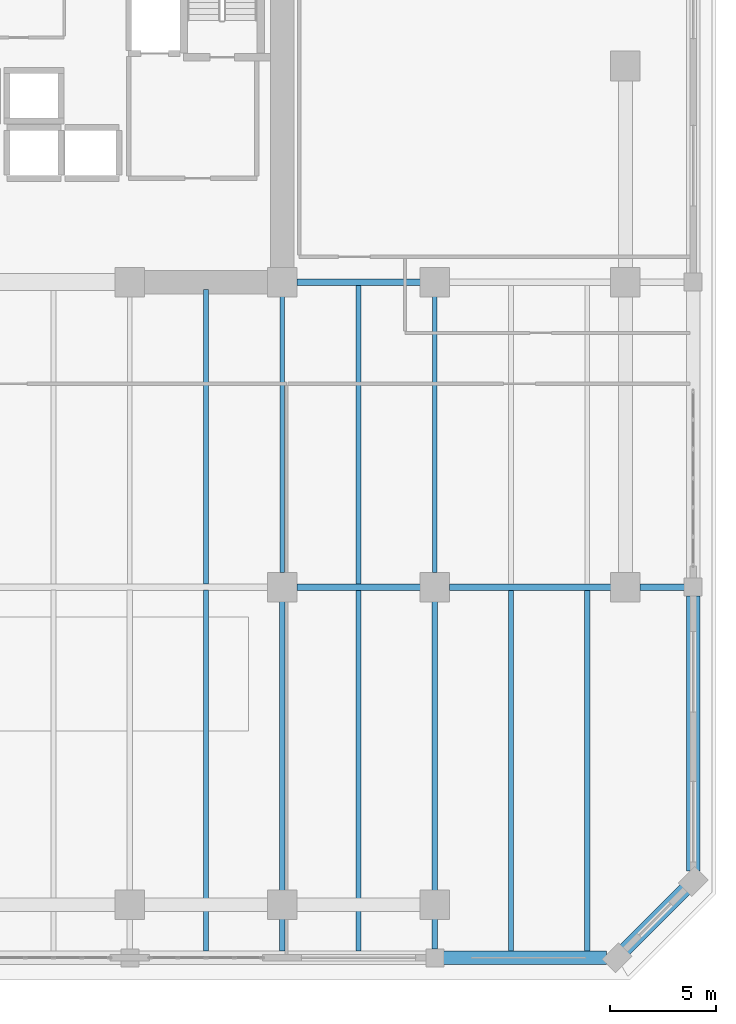
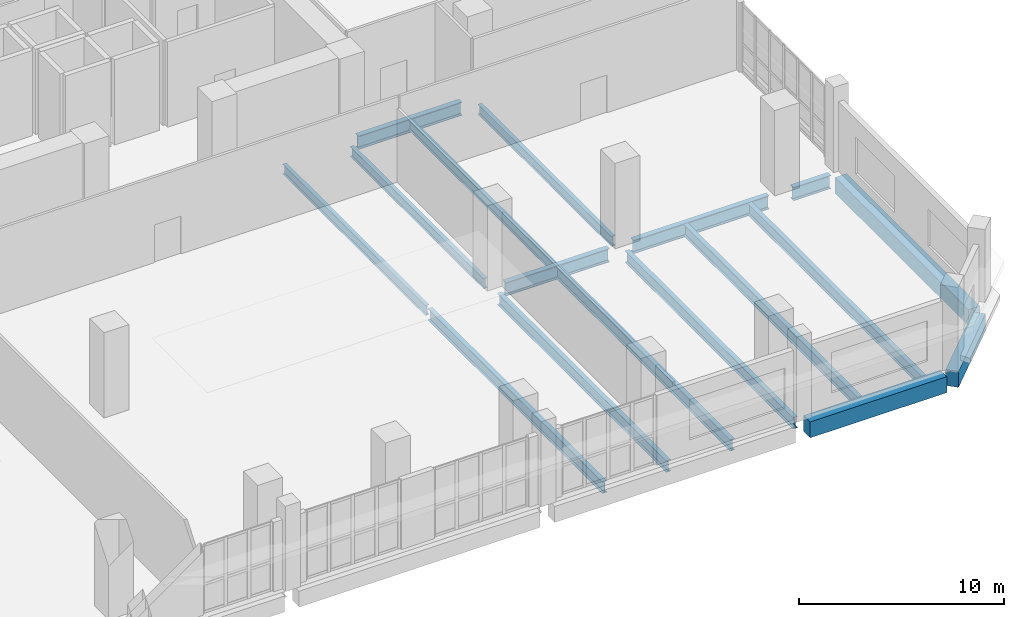
# One storey, part 14 of 25: 17 beams.
"""IFC4 building model written with IfcOpenShell, lengths in metres."""

from ifc_helpers import new_model, si_unit, direction, frame, origin, origin_2d, place, context, subcontext, project, spatial, rectangle, i_section, extrude, material, material_profile, profile_set, type_object, element, save


model = new_model("IFC4")

# Units and contexts
model_context = context("Model", 3, precision=1e-05, world=origin(), true_north=direction((0.0, 1.0)))
body_context = subcontext(model_context, "Body", "Model", "MODEL_VIEW")
ifc_project = project(units=[si_unit("LENGTHUNIT", "METRE"), si_unit("AREAUNIT", "SQUARE_METRE"), si_unit("VOLUMEUNIT", "CUBIC_METRE"), si_unit("PLANEANGLEUNIT", "RADIAN"), si_unit("MASSUNIT", "GRAM", prefix="KILO")], contexts=[model_context])

# Site, building, storey
site_placement = place(None, origin())
site = spatial("IfcSite", under=ifc_project, at=site_placement, CompositionType="ELEMENT")
building_placement = place(site_placement, origin())
building = spatial("IfcBuilding", under=site, at=building_placement, Name="Kaelvorn Grand Hotel", CompositionType="ELEMENT")
storey_placement = place(building_placement, frame((0.0, 0.0, 14.0)))
storey = spatial("IfcBuildingStorey", under=building, at=storey_placement, Name="L02", CompositionType="ELEMENT", Elevation=14.0)

# Beams
ifc_material_1 = material(Name="Steel S355", Category="steel")
ifc_material_profile_1 = material_profile(ifc_material_1, i_section(OverallWidth=0.300048828125, OverallDepth=0.800048828125, WebThickness=0.017578125, FlangeThickness=0.032958984375, FilletRadius=0.030029296875, at=origin_2d()), Name="HEB 800")
ifc_profile_set_1 = profile_set([ifc_material_profile_1], Name="Steel S355")
beam_type_1 = type_object("IfcBeamType", Name="BM-G-HEB800-S355", PredefinedType="BEAM", material=ifc_profile_set_1)
beam_1_placement = place(storey_placement, frame((68.485107421875, 15.0, -0.719970703125), z_axis=(1.0, 0.0, 0.0), x_axis=(0.0, 1.0, 0.0)))
element("IfcBeam", 1, at=beam_1_placement, inside=storey, type_object=beam_type_1, Name="L02 Primary Spine Steel Girder G-15 07", PredefinedType="BEAM", context=body_context, shape_type="SweptSolid", body=[
    extrude(i_section(OverallWidth=0.300048828125, OverallDepth=0.800048828125, WebThickness=0.017578125, FlangeThickness=0.032958984375, FilletRadius=0.030029296875, at=origin_2d()), origin(), (0.0, 0.0, 1.0), 5.829833984375),
])
beam_2_placement = place(storey_placement, frame((75.68505859375, 15.0, -0.719970703125), z_axis=(1.0, 0.0, 0.0), x_axis=(0.0, 1.0, 0.0)))
element("IfcBeam", 2, at=beam_2_placement, inside=storey, type_object=beam_type_1, Name="L02 Primary Spine Steel Girder G-15 08", PredefinedType="BEAM", context=body_context, shape_type="SweptSolid", body=[
    extrude(i_section(OverallWidth=0.300048828125, OverallDepth=0.800048828125, WebThickness=0.017578125, FlangeThickness=0.032958984375, FilletRadius=0.030029296875, at=origin_2d()), origin(), (0.0, 0.0, 1.0), 7.6298828125),
])
beam_3_placement = place(storey_placement, frame((84.68505859375, 15.0, -0.719970703125), z_axis=(1.0, 0.0, 0.0), x_axis=(0.0, 1.0, 0.0)))
element("IfcBeam", 3, at=beam_3_placement, inside=storey, type_object=beam_type_1, Name="L02 Primary Spine Steel Girder G-15 09", PredefinedType="BEAM", context=body_context, shape_type="SweptSolid", body=[
    extrude(i_section(OverallWidth=0.300048828125, OverallDepth=0.800048828125, WebThickness=0.017578125, FlangeThickness=0.032958984375, FilletRadius=0.030029296875, at=origin_2d()), origin(), (0.0, 0.0, 1.0), 2.10498046875),
])
beam_4_placement = place(storey_placement, frame((68.485107421875, 29.39990234375, -0.719970703125), z_axis=(1.0, 0.0, 0.0), x_axis=(0.0, 1.0, 0.0)))
element("IfcBeam", 4, at=beam_4_placement, inside=storey, type_object=beam_type_1, Name="L02 East Core Wing Steel Girder G-29E 01", PredefinedType="BEAM", context=body_context, shape_type="SweptSolid", body=[
    extrude(i_section(OverallWidth=0.300048828125, OverallDepth=0.800048828125, WebThickness=0.017578125, FlangeThickness=0.032958984375, FilletRadius=0.030029296875, at=origin_2d()), origin(), (0.0, 0.0, 1.0), 5.829833984375),
])
ifc_material_profile_2 = material_profile(ifc_material_1, i_section(OverallWidth=0.219970703125, OverallDepth=0.60009765625, WebThickness=0.011962890625, FlangeThickness=0.01904296875, FilletRadius=0.02392578125, at=origin_2d()), Name="IPE 600")
ifc_profile_set_2 = profile_set([ifc_material_profile_2], Name="Steel S355")
beam_type_2 = type_object("IfcBeamType", Name="BM-J-IPE600-S355", PredefinedType="JOIST", material=ifc_profile_set_2)
beam_5_placement = place(storey_placement, frame((64.199951171875, 15.135009765625, -0.6201171875), z_axis=(0.0, 1.0, 0.0), x_axis=(-1.0, 0.0, 0.0)))
element("IfcBeam", 5, at=beam_5_placement, inside=storey, type_object=beam_type_2, Name="L02 Composite Floor Joist JM-18", PredefinedType="JOIST", context=body_context, shape_type="SweptSolid", body=[
    extrude(i_section(OverallWidth=0.219970703125, OverallDepth=0.60009765625, WebThickness=0.011962890625, FlangeThickness=0.01904296875, FilletRadius=0.02392578125, at=origin_2d()), origin(), (0.0, 0.0, 1.0), 13.925048828125),
])
beam_6_placement = place(storey_placement, frame((67.800048828125, 15.68505859375, -0.6201171875), z_axis=(0.0, 1.0, 0.0), x_axis=(-1.0, 0.0, 0.0)))
element("IfcBeam", 6, at=beam_6_placement, inside=storey, type_object=beam_type_2, Name="L02 Composite Floor Joist JM-19", PredefinedType="JOIST", context=body_context, shape_type="SweptSolid", body=[
    extrude(i_section(OverallWidth=0.219970703125, OverallDepth=0.60009765625, WebThickness=0.011962890625, FlangeThickness=0.01904296875, FilletRadius=0.02392578125, at=origin_2d()), origin(), (0.0, 0.0, 1.0), 13.030029296875),
])
beam_7_placement = place(storey_placement, frame((71.39990234375, 15.135009765625, -0.6201171875), z_axis=(0.0, 1.0, 0.0), x_axis=(-1.0, 0.0, 0.0)))
element("IfcBeam", 7, at=beam_7_placement, inside=storey, type_object=beam_type_2, Name="L02 Composite Floor Joist JM-20", PredefinedType="JOIST", context=body_context, shape_type="SweptSolid", body=[
    extrude(i_section(OverallWidth=0.219970703125, OverallDepth=0.60009765625, WebThickness=0.011962890625, FlangeThickness=0.01904296875, FilletRadius=0.02392578125, at=origin_2d()), origin(), (0.0, 0.0, 1.0), 14.1298828125),
])
beam_8_placement = place(storey_placement, frame((75.0, 15.68505859375, -0.6201171875), z_axis=(0.0, 1.0, 0.0), x_axis=(-1.0, 0.0, 0.0)))
element("IfcBeam", 8, at=beam_8_placement, inside=storey, type_object=beam_type_2, Name="L02 Composite Floor Joist JM-21", PredefinedType="JOIST", context=body_context, shape_type="SweptSolid", body=[
    extrude(i_section(OverallWidth=0.219970703125, OverallDepth=0.60009765625, WebThickness=0.011962890625, FlangeThickness=0.01904296875, FilletRadius=0.02392578125, at=origin_2d()), origin(), (0.0, 0.0, 1.0), 13.030029296875),
])
ifc_material_profile_3 = material_profile(ifc_material_1, i_section(OverallWidth=0.25439453125, OverallDepth=0.6875, WebThickness=0.01318359375, FlangeThickness=0.02099609375, FilletRadius=0.01513671875, at=origin_2d()), Name="UB 686x254x152")
ifc_profile_set_3 = profile_set([ifc_material_profile_3], Name="Steel S355")
beam_type_3 = type_object("IfcBeamType", Name="BM-J-UB686-S355", PredefinedType="JOIST", material=ifc_profile_set_3)
beam_9_placement = place(storey_placement, frame((64.199951171875, -2.18994140625, -0.663818359375), z_axis=(0.0, 1.0, 0.0), x_axis=(-1.0, 0.0, 0.0)))
element("IfcBeam", 9, at=beam_9_placement, inside=storey, type_object=beam_type_3, Name="L02 Composite Floor Joist JS-18", PredefinedType="JOIST", context=body_context, shape_type="SweptSolid", body=[
    extrude(i_section(OverallWidth=0.25439453125, OverallDepth=0.6875, WebThickness=0.01318359375, FlangeThickness=0.02099609375, FilletRadius=0.01513671875, at=origin_2d()), origin(), (0.0, 0.0, 1.0), 17.054931640625),
])
beam_10_placement = place(storey_placement, frame((67.800048828125, -2.18994140625, -0.663818359375), z_axis=(0.0, 1.0, 0.0), x_axis=(-1.0, 0.0, 0.0)))
element("IfcBeam", 10, at=beam_10_placement, inside=storey, type_object=beam_type_3, Name="L02 Composite Floor Joist JS-19", PredefinedType="JOIST", context=body_context, shape_type="SweptSolid", body=[
    extrude(i_section(OverallWidth=0.25439453125, OverallDepth=0.6875, WebThickness=0.01318359375, FlangeThickness=0.02099609375, FilletRadius=0.01513671875, at=origin_2d()), origin(), (0.0, 0.0, 1.0), 16.5048828125),
])
beam_11_placement = place(storey_placement, frame((71.39990234375, -2.18994140625, -0.663818359375), z_axis=(0.0, 1.0, 0.0), x_axis=(-1.0, 0.0, 0.0)))
element("IfcBeam", 11, at=beam_11_placement, inside=storey, type_object=beam_type_3, Name="L02 Composite Floor Joist JS-20", PredefinedType="JOIST", context=body_context, shape_type="SweptSolid", body=[
    extrude(i_section(OverallWidth=0.25439453125, OverallDepth=0.6875, WebThickness=0.01318359375, FlangeThickness=0.02099609375, FilletRadius=0.01513671875, at=origin_2d()), origin(), (0.0, 0.0, 1.0), 17.054931640625),
])
beam_12_placement = place(storey_placement, frame((75.0, -2.090087890625, -0.663818359375), z_axis=(0.0, 1.0, 0.0), x_axis=(-1.0, 0.0, 0.0)))
element("IfcBeam", 12, at=beam_12_placement, inside=storey, type_object=beam_type_3, Name="L02 Composite Floor Joist JS-21", PredefinedType="JOIST", context=body_context, shape_type="SweptSolid", body=[
    extrude(i_section(OverallWidth=0.25439453125, OverallDepth=0.6875, WebThickness=0.01318359375, FlangeThickness=0.02099609375, FilletRadius=0.01513671875, at=origin_2d()), origin(), (0.0, 0.0, 1.0), 16.405029296875),
])
for number, where, z_axis, x_axis, name in (
    (13, (78.60009765625, -2.18994140625, -0.663818359375), (0.0, 1.0, 0.0), (-1.0, 0.0, 0.0), "L02 Composite Floor Joist JS-22"),
    (14, (82.199951171875, -2.18994140625, -0.663818359375), (0.0, 1.0, 0.0), (-1.0, 0.0, 0.0), "L02 Composite Floor Joist JS-23"),
):
    element("IfcBeam", number, at=place(storey_placement, frame(where, z_axis=z_axis, x_axis=x_axis)), inside=storey, type_object=beam_type_3, Name=name, PredefinedType="JOIST", context=body_context, shape_type="SweptSolid", body=[
        extrude(i_section(OverallWidth=0.25439453125, OverallDepth=0.6875, WebThickness=0.01318359375, FlangeThickness=0.02099609375, FilletRadius=0.01513671875, at=origin_2d()), origin(), (0.0, 0.0, 1.0), 17.054931640625),
    ])
ifc_material_2 = material(Name="Concrete C60/75", Category="concrete")
ifc_material_profile_4 = material_profile(ifc_material_2, rectangle(XDim=0.64990234375, YDim=0.949951171875, at=origin_2d()), Name="RC SPANDREL 650x950")
ifc_profile_set_4 = profile_set([ifc_material_profile_4], Name="Concrete C60/75")
beam_type_4 = type_object("IfcBeamType", Name="BM-SP-650x950-C60", PredefinedType="SPANDREL", material=ifc_profile_set_4)
beam_13_placement = place(storey_placement, frame((75.409912109375, -2.5, -0.794921875), z_axis=(1.0, 0.0, 0.0), x_axis=(0.0, 1.0, 0.0)))
element("IfcBeam", 15, at=beam_13_placement, inside=storey, type_object=beam_type_4, Name="L02 South Perimeter Spandrel 07", PredefinedType="SPANDREL", context=body_context, shape_type="SweptSolid", body=[
    extrude(rectangle(XDim=0.64990234375, YDim=0.949951171875, at=origin_2d()), origin(), (0.0, 0.0, 1.0), 7.705078125),
])
beam_14_placement = place(storey_placement, frame((87.199951171875, 1.5849609375, -0.794921875), z_axis=(0.0, 1.0, 0.0), x_axis=(-1.0, 0.0, 0.0)))
element("IfcBeam", 16, at=beam_14_placement, inside=storey, type_object=beam_type_4, Name="L02 East Perimeter Spandrel 01", PredefinedType="SPANDREL", context=body_context, shape_type="SweptSolid", body=[
    extrude(rectangle(XDim=0.64990234375, YDim=0.949951171875, at=origin_2d()), origin(), (0.0, 0.0, 1.0), 13.005126953125),
])
beam_15_placement = place(storey_placement, frame((83.60009765625, -2.5, -0.794921875), z_axis=(0.707082803744, 0.707130757816, 0.0), x_axis=(-0.707130757816, 0.707082803744, 0.0)))
element("IfcBeam", 17, at=beam_15_placement, inside=storey, type_object=beam_type_4, Name="L02 Chamfer Spandrel Beam 1", PredefinedType="SPANDREL", context=body_context, shape_type="SweptSolid", body=[
    extrude(rectangle(XDim=0.64990234375, YDim=0.949951171875, at=origin_2d()), origin(), (0.0, 0.0, 1.0), 5.091064453125),
])

save(model, "model.ifc")
